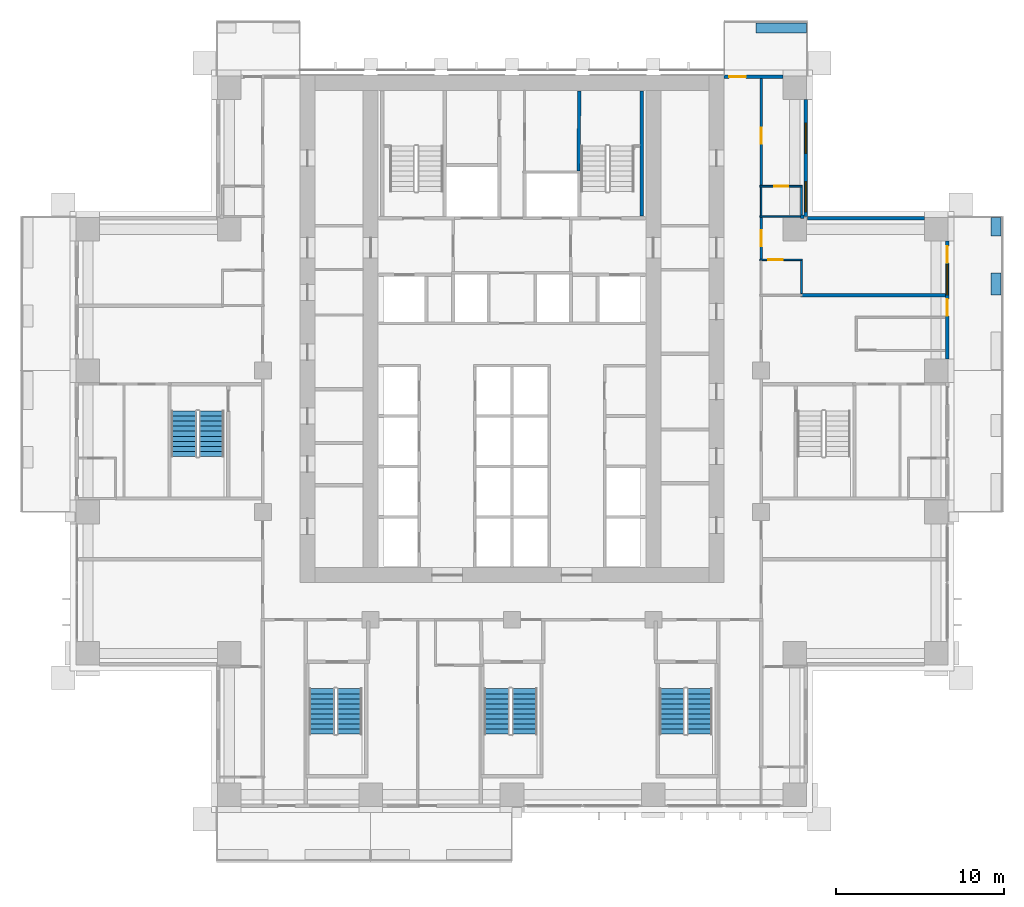
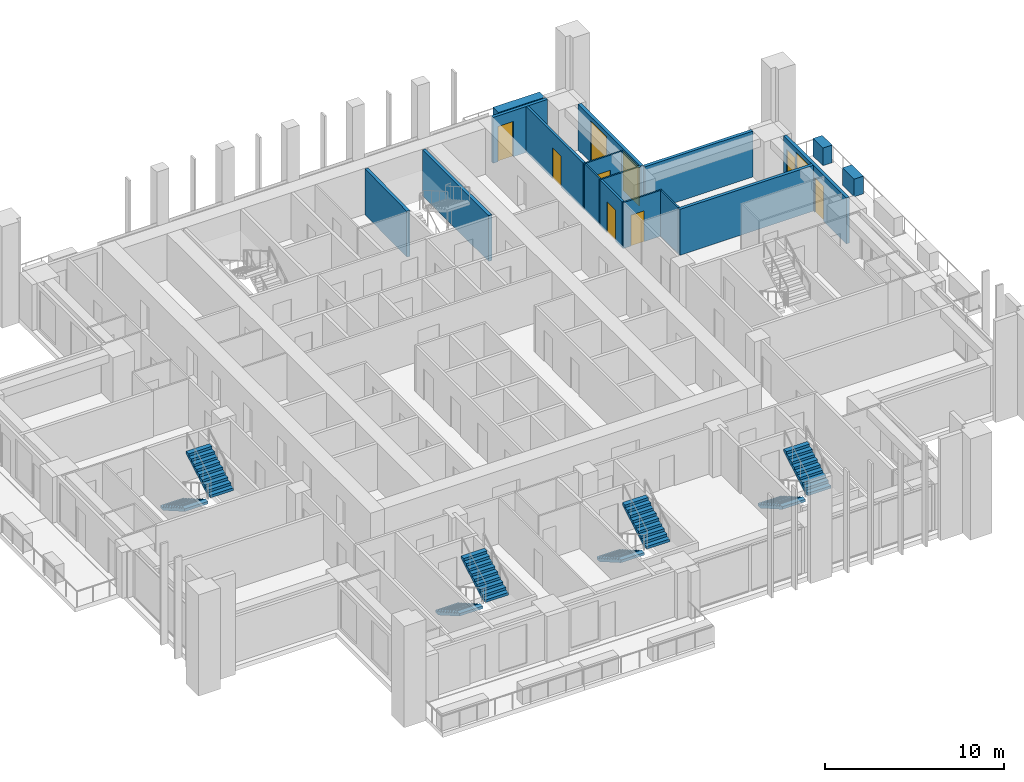
# One storey, part 12 of 18: 19 walls, 8 stair flights, 7 doors, 3 windows, 10 openings, 4 elements without a shape of their own.
"""IFC4 building model written with IfcOpenShell, lengths in metres."""

from ifc_helpers import new_model, si_unit, direction, frame, frame_2d, origin, place, context, subcontext, project, spatial, polyline, rectangle, outline, extrude, material, layer, layer_set, type_object, element, fill, aggregate, save


model = new_model("IFC4")

# Units and contexts
model_context = context("Model", 3, precision=1e-05, world=origin(), true_north=direction((0.0, 1.0)))
body_context = subcontext(model_context, "Body", "Model", "MODEL_VIEW")
ifc_project = project(units=[si_unit("LENGTHUNIT", "METRE"), si_unit("AREAUNIT", "SQUARE_METRE"), si_unit("VOLUMEUNIT", "CUBIC_METRE"), si_unit("PLANEANGLEUNIT", "RADIAN"), si_unit("MASSUNIT", "GRAM", prefix="KILO")], contexts=[model_context])

# Site, building, storey
site_placement = place(None, origin())
site = spatial("IfcSite", under=ifc_project, at=site_placement, CompositionType="ELEMENT")
building_placement = place(site_placement, origin())
building = spatial("IfcBuilding", under=site, at=building_placement, Name="Vermilion Ogive Tower", CompositionType="ELEMENT")
storey_placement = place(building_placement, frame((0.0, 0.0, 55.199951171875)))
storey = spatial("IfcBuildingStorey", under=building, at=storey_placement, Name="L12", CompositionType="ELEMENT", Elevation=55.199951171875)

# Wall, opening, door
ifc_material_1 = material(Name="Gypsum board partition on steel studs", Category="steel")
ifc_layer_1 = layer(ifc_material_1, 0.10009765625)
ifc_layer_set_1 = layer_set([ifc_layer_1], Name="Partition 100 bath")
wall_type_1 = type_object("IfcWallType", Name="Partition 100 bath", PredefinedType="PARTITIONING", material=ifc_layer_set_1)
wall_1_placement = place(storey_placement, frame((14.72509765625, 10.780029296875, 0.0), z_axis=(0.0, 0.0, 1.0), x_axis=(1.0, 0.0, 0.0)))
wall_1 = element("IfcWall", 1, at=wall_1_placement, inside=storey, type_object=wall_type_1, Name="L12-W-W034", PredefinedType="PARTITIONING", context=body_context, shape_type="SweptSolid", body=[
    extrude(rectangle(XDim=2.52490234375, YDim=0.10009765625, at=frame_2d((1.262451171875, 0.0))), origin(), (0.0, 0.0, 1.0), 3.130126953125),
])
opening_1_placement = place(wall_1_placement, frame((0.5, 0.0, 0.0)))
opening_1 = element("IfcOpeningElement", 2, at=opening_1_placement, cuts=wall_1, Name="Opening D1G4025", PredefinedType="OPENING", context=body_context, shape_type="SweptSolid", body=[
    extrude(rectangle(XDim=0.85009765625, YDim=2.10009765625, at=frame_2d((0.425048828125, 1.050048828125))), frame((0.0, 0.06005859375, 0.0), z_axis=(0.0, -1.0, 0.0), x_axis=(1.0, 0.0, 0.0)), (0.0, 0.0, 1.0), 0.1201171875),
])
ifc_material_2 = material(Name="Timber door leaf", Category="wood")
door_type_1 = type_object("IfcDoorType", Name="Bath door 850 x 2100 FD30", OperationType="SINGLE_SWING_LEFT", PredefinedType="DOOR", material=ifc_material_2)
door_1_placement = place(opening_1_placement, origin())
door_1 = element("IfcDoor", 3, at=door_1_placement, inside=storey, type_object=door_type_1, Name="L12-D-D025", OperationType="SINGLE_SWING_RIGHT", OverallHeight=2.10009765625, OverallWidth=0.85009765625, PredefinedType="DOOR", context=body_context, shape_type="SweptSolid", body=[
    extrude(rectangle(XDim=0.85009765625, YDim=2.10009765625, at=frame_2d((0.425048828125, 1.050048828125))), frame((0.0, 0.02490234375, 0.0), z_axis=(0.0, -1.0, 0.0), x_axis=(1.0, 0.0, 0.0)), (0.0, 0.0, 1.0), 0.050048828125),
])
fill(opening_1, door_1)

# Wall
wall_2_placement = place(storey_placement, frame((14.72509765625, 13.35009765625, 0.0), z_axis=(0.0, 0.0, 1.0), x_axis=(1.0, 0.0, 0.0)))
element("IfcWall", 4, at=wall_2_placement, inside=storey, type_object=wall_type_1, Name="L12-W-W037", PredefinedType="PARTITIONING", context=body_context, shape_type="SweptSolid", body=[
    extrude(rectangle(XDim=2.52490234375, YDim=0.10009765625, at=frame_2d((1.262451171875, 0.0))), origin(), (0.0, 0.0, 1.0), 3.130126953125),
])

# Wall, opening, door
wall_3_placement = place(storey_placement, frame((14.72509765625, 15.14990234375, 0.0), z_axis=(0.0, 0.0, 1.0), x_axis=(1.0, 0.0, 0.0)))
wall_3 = element("IfcWall", 5, at=wall_3_placement, inside=storey, type_object=wall_type_1, Name="L12-W-W040", PredefinedType="PARTITIONING", context=body_context, shape_type="SweptSolid", body=[
    extrude(rectangle(XDim=2.52490234375, YDim=0.10009765625, at=frame_2d((1.262451171875, 0.0))), origin(), (0.0, 0.0, 1.0), 3.130126953125),
])
opening_2_placement = place(wall_3_placement, frame((0.849853515625, 0.0, 0.0)))
opening_2 = element("IfcOpeningElement", 6, at=opening_2_placement, cuts=wall_3, Name="Opening D1G4027", PredefinedType="OPENING", context=body_context, shape_type="SweptSolid", body=[
    extrude(rectangle(XDim=0.85009765625, YDim=2.10009765625, at=frame_2d((0.425048828125, 1.050048828125))), frame((0.0, 0.06005859375, 0.0), z_axis=(0.0, -1.0, 0.0), x_axis=(1.0, 0.0, 0.0)), (0.0, 0.0, 1.0), 0.1201171875),
])
door_2_placement = place(opening_2_placement, origin())
door_2 = element("IfcDoor", 7, at=door_2_placement, inside=storey, type_object=door_type_1, Name="L12-D-D027", OperationType="SINGLE_SWING_RIGHT", OverallHeight=2.10009765625, OverallWidth=0.85009765625, PredefinedType="DOOR", context=body_context, shape_type="SweptSolid", body=[
    extrude(rectangle(XDim=0.85009765625, YDim=2.10009765625, at=frame_2d((0.425048828125, 1.050048828125))), frame((0.0, 0.02490234375, 0.0), z_axis=(0.0, -1.0, 0.0), x_axis=(1.0, 0.0, 0.0)), (0.0, 0.0, 1.0), 0.050048828125),
])
fill(opening_2, door_2)

# Walls
wall_4_placement = place(storey_placement, frame((14.800048828125, 13.39990234375, 0.0), z_axis=(0.0, 0.0, 1.0), x_axis=(0.0, 1.0, 0.0)))
element("IfcWall", 8, at=wall_4_placement, inside=storey, type_object=wall_type_1, Name="L12-W-W074", PredefinedType="PARTITIONING", context=body_context, shape_type="SweptSolid", body=[
    extrude(rectangle(XDim=1.7001953125, YDim=0.10009765625, at=frame_2d((0.85009765625, 0.0))), origin(), (0.0, 0.0, 1.0), 3.130126953125),
])
wall_5_placement = place(storey_placement, frame((17.199951171875, 8.780029296875, 0.0), z_axis=(0.0, 0.0, 1.0), x_axis=(0.0, 1.0, 0.0)))
element("IfcWall", 9, at=wall_5_placement, inside=storey, type_object=wall_type_1, Name="L12-W-W077", PredefinedType="PARTITIONING", context=body_context, shape_type="SweptSolid", body=[
    extrude(rectangle(XDim=1.949951171875, YDim=0.10009765625, at=frame_2d((0.97509765625, 0.0))), origin(), (0.0, 0.0, 1.0), 3.130126953125),
])
wall_6_placement = place(storey_placement, frame((17.199951171875, 13.449951171875, 0.0), z_axis=(0.0, 0.0, 1.0), x_axis=(0.0, 1.0, 0.0)))
element("IfcWall", 10, at=wall_6_placement, inside=storey, type_object=wall_type_1, Name="L12-W-W078", PredefinedType="PARTITIONING", context=body_context, shape_type="SweptSolid", body=[
    extrude(rectangle(XDim=1.650146484375, YDim=0.10009765625, at=frame_2d((0.8251953125, 0.0))), origin(), (0.0, 0.0, 1.0), 3.130126953125),
])

# Wall, opening, door
ifc_material_3 = material(Name="Gypsum board partition on steel studs", Category="steel")
ifc_layer_2 = layer(ifc_material_3, 0.14990234375)
ifc_layer_set_2 = layer_set([ifc_layer_2], Name="Partition 150 corridor")
wall_type_2 = type_object("IfcWallType", Name="Partition 150 corridor", PredefinedType="PARTITIONING", material=ifc_layer_set_2)
wall_7_placement = place(storey_placement, frame((14.800048828125, 10.830078125, 0.0), z_axis=(0.0, 0.0, 1.0), x_axis=(0.0, 1.0, 0.0)))
wall_7 = element("IfcWall", 11, at=wall_7_placement, inside=storey, type_object=wall_type_2, Name="L12-W-W073", PredefinedType="PARTITIONING", context=body_context, shape_type="SweptSolid", body=[
    extrude(rectangle(XDim=2.469970703125, YDim=0.14990234375, at=frame_2d((1.23486328125, 0.0))), origin(), (0.0, 0.0, 1.0), 3.130126953125),
])
opening_3_placement = place(wall_7_placement, frame((0.760009765625, 0.0, 0.0)))
opening_3 = element("IfcOpeningElement", 12, at=opening_3_placement, cuts=wall_7, Name="Opening D1G4024", PredefinedType="OPENING", context=body_context, shape_type="SweptSolid", body=[
    extrude(rectangle(XDim=0.949951171875, YDim=2.10009765625, at=frame_2d((0.47509765625, 1.050048828125))), frame((0.0, 0.0849609375, 0.0), z_axis=(0.0, -1.0, 0.0), x_axis=(1.0, 0.0, 0.0)), (0.0, 0.0, 1.0), 0.169921875),
])
ifc_material_4 = material(Name="Timber door leaf", Category="wood")
door_type_2 = type_object("IfcDoorType", Name="Unit door 950 x 2100 FD30S", OperationType="SINGLE_SWING_LEFT", PredefinedType="DOOR", material=ifc_material_4)
door_3_placement = place(opening_3_placement, origin())
door_3 = element("IfcDoor", 13, at=door_3_placement, inside=storey, type_object=door_type_2, Name="L12-D-D024", OperationType="SINGLE_SWING_RIGHT", OverallHeight=2.10009765625, OverallWidth=0.949951171875, PredefinedType="DOOR", context=body_context, shape_type="SweptSolid", body=[
    extrude(rectangle(XDim=0.949951171875, YDim=2.10009765625, at=frame_2d((0.47509765625, 1.050048828125))), frame((0.0, 0.02490234375, 0.0), z_axis=(0.0, -1.0, 0.0), x_axis=(1.0, 0.0, 0.0)), (0.0, 0.0, 1.0), 0.050048828125),
])
fill(opening_3, door_3)

wall_8_placement = place(storey_placement, frame((14.800048828125, 15.199951171875, 0.0), z_axis=(0.0, 0.0, 1.0), x_axis=(0.0, 1.0, 0.0)))
wall_8 = element("IfcWall", 14, at=wall_8_placement, inside=storey, type_object=wall_type_2, Name="L12-W-W075", PredefinedType="PARTITIONING", context=body_context, shape_type="SweptSolid", body=[
    extrude(rectangle(XDim=6.35009765625, YDim=0.14990234375, at=frame_2d((3.175048828125, 0.0))), origin(), (0.0, 0.0, 1.0), 3.130126953125),
])
opening_4_placement = place(wall_8_placement, frame((2.47509765625, 0.0, 0.0)))
opening_4 = element("IfcOpeningElement", 15, at=opening_4_placement, cuts=wall_8, Name="Opening D1G4026", PredefinedType="OPENING", context=body_context, shape_type="SweptSolid", body=[
    extrude(rectangle(XDim=0.949951171875, YDim=2.10009765625, at=frame_2d((0.47509765625, 1.050048828125))), frame((0.0, 0.0849609375, 0.0), z_axis=(0.0, -1.0, 0.0), x_axis=(1.0, 0.0, 0.0)), (0.0, 0.0, 1.0), 0.169921875),
])
door_4_placement = place(opening_4_placement, origin())
door_4 = element("IfcDoor", 16, at=door_4_placement, inside=storey, type_object=door_type_2, Name="L12-D-D026", OperationType="SINGLE_SWING_LEFT", OverallHeight=2.10009765625, OverallWidth=0.949951171875, PredefinedType="DOOR", context=body_context, shape_type="SweptSolid", body=[
    extrude(rectangle(XDim=0.949951171875, YDim=2.10009765625, at=frame_2d((0.47509765625, 1.050048828125))), frame((0.0, 0.02490234375, 0.0), z_axis=(0.0, -1.0, 0.0), x_axis=(1.0, 0.0, 0.0)), (0.0, 0.0, 1.0), 0.050048828125),
])
fill(opening_4, door_4)

# Walls
ifc_material_5 = material(Name="Gypsum board partition on steel studs", Category="steel")
ifc_layer_3 = layer(ifc_material_5, 0.199951171875)
ifc_layer_set_3 = layer_set([ifc_layer_3], Name="Partition 200 party")
wall_type_3 = type_object("IfcWallType", Name="Partition 200 party", PredefinedType="PARTITIONING", material=ifc_layer_set_3)
wall_9_placement = place(storey_placement, frame((17.14990234375, 8.679931640625, 0.0), z_axis=(0.0, 0.0, 1.0), x_axis=(1.0, 0.0, 0.0)))
element("IfcWall", 17, at=wall_9_placement, inside=storey, type_object=wall_type_3, Name="L12-W-W032", PredefinedType="PARTITIONING", context=body_context, shape_type="SweptSolid", body=[
    extrude(rectangle(XDim=8.60009765625, YDim=0.199951171875, at=frame_2d((4.300048828125, 0.0))), origin(), (0.0, 0.0, 1.0), 3.130126953125),
])
wall_10_placement = place(storey_placement, frame((17.14990234375, 13.35009765625, 0.0), z_axis=(0.0, 0.0, 1.0), x_axis=(1.0, 0.0, 0.0)))
element("IfcWall", 18, at=wall_10_placement, inside=storey, type_object=wall_type_3, Name="L12-W-W038", PredefinedType="PARTITIONING", context=body_context, shape_type="SweptSolid", body=[
    extrude(rectangle(XDim=0.2001953125, YDim=0.199951171875, at=frame_2d((0.10009765625, 0.0))), origin(), (0.0, 0.0, 1.0), 3.130126953125),
])
ifc_material_6 = material(Name="Concrete B60", Category="concrete")
ifc_layer_4 = layer(ifc_material_6, 0.199951171875)
ifc_layer_set_4 = layer_set([ifc_layer_4], Name="Stair shaft wall 200 Concrete B60")
wall_type_4 = type_object("IfcWallType", Name="Stair shaft wall 200 Concrete B60", PredefinedType="SOLIDWALL", material=ifc_layer_set_4)
wall_11_placement = place(storey_placement, frame((3.949951171875, 16.050048828125, 0.0), z_axis=(0.0, 0.0, 1.0), x_axis=(0.010538176883, 0.999944471872, 0.0)))
element("IfcWall", 19, at=wall_11_placement, inside=storey, type_object=wall_type_4, Name="L12-CK-W-W038", PredefinedType="SOLIDWALL", context=body_context, shape_type="SweptSolid", body=[
    extrude(rectangle(XDim=4.749267578125, YDim=0.199951171875, at=frame_2d((2.37451171875, 0.0))), origin(), (0.0, 0.0, 1.0), 3.130126953125),
])
wall_12_placement = place(storey_placement, frame((7.699951171875, 13.39990234375, 0.0), z_axis=(0.0, 0.0, 1.0), x_axis=(0.0, 1.0, 0.0)))
element("IfcWall", 20, at=wall_12_placement, inside=storey, type_object=wall_type_4, Name="L12-SW-R026-E1", PredefinedType="SOLIDWALL", context=body_context, shape_type="SweptSolid", body=[
    extrude(rectangle(XDim=7.400146484375, YDim=0.199951171875, at=frame_2d((3.7001953125, 0.0))), origin(), (0.0, 0.0, 1.0), 3.130126953125),
])
ifc_material_7 = material(Name="Concrete B40", Category="concrete")
ifc_layer_5 = layer(ifc_material_7, 0.60009765625)
ifc_layer_set_5 = layer_set([ifc_layer_5], Name="Structural planter")
wall_type_5 = type_object("IfcWallType", Name="Structural planter", PredefinedType="USERDEFINED", material=ifc_layer_set_5)
wall_13_placement = place(storey_placement, frame((28.75, 8.699951171875, -0.0400390625), z_axis=(0.0, 0.0, 1.0), x_axis=(0.0, 1.0, 0.0)))
element("IfcWall", 21, at=wall_13_placement, inside=storey, type_object=wall_type_5, Name="Planter E03A2", ObjectType="PLANTER", PredefinedType="USERDEFINED", context=body_context, shape_type="SweptSolid", body=[
    extrude(rectangle(XDim=1.300048828125, YDim=0.60009765625, at=frame_2d((0.64990234375, 0.0))), origin(), (0.0, 0.0, 1.0), 1.2001953125),
])
wall_14_placement = place(storey_placement, frame((28.75, 12.199951171875, -0.0400390625), z_axis=(0.0, 0.0, 1.0), x_axis=(0.0, 1.0, 0.0)))
element("IfcWall", 22, at=wall_14_placement, inside=storey, type_object=wall_type_5, Name="Planter E03A3", ObjectType="PLANTER", PredefinedType="USERDEFINED", context=body_context, shape_type="SweptSolid", body=[
    extrude(rectangle(XDim=1.090087890625, YDim=0.60009765625, at=frame_2d((0.544921875, 0.0))), origin(), (0.0, 0.0, 1.0), 1.2001953125),
])
wall_15_placement = place(storey_placement, frame((17.489990234375, 24.550048828125, -0.0400390625), z_axis=(0.0, 0.0, 1.0), x_axis=(-1.0, 0.0, 0.0)))
element("IfcWall", 23, at=wall_15_placement, inside=storey, type_object=wall_type_5, Name="Planter N101A1", ObjectType="PLANTER", PredefinedType="USERDEFINED", context=body_context, shape_type="SweptSolid", body=[
    extrude(rectangle(XDim=2.989990234375, YDim=0.60009765625, at=frame_2d((1.4951171875, 0.0))), origin(), (0.0, 0.0, 1.0), 1.2001953125),
])

# Wall, openings, doors, window
ifc_material_8 = material(Name="Aluminium window wall framing", Category="aluminium")
ifc_layer_6 = layer(ifc_material_8, 0.199951171875)
ifc_layer_set_6 = layer_set([ifc_layer_6], Name="Window wall")
wall_type_6 = type_object("IfcWallType", Name="Window wall", PredefinedType="STANDARD", material=ifc_layer_set_6)
wall_16_placement = place(storey_placement, frame((25.85009765625, 4.89990234375, 0.0), z_axis=(0.0, 0.0, 1.0), x_axis=(0.0, 1.0, 0.0)))
wall_16 = element("IfcWall", 24, at=wall_16_placement, inside=storey, type_object=wall_type_6, Name="Window wall E3", PredefinedType="STANDARD", context=body_context, shape_type="SweptSolid", body=[
    extrude(rectangle(XDim=7.0, YDim=0.199951171875, at=frame_2d((3.5, 0.0))), origin(), (0.0, 0.0, 1.0), 3.130126953125),
])
opening_5_placement = place(wall_16_placement, frame((2.550048828125, 0.0, 0.0)))
opening_5 = element("IfcOpeningElement", 25, at=opening_5_placement, cuts=wall_16, Name="Opening D1-E01", PredefinedType="OPENING", context=body_context, shape_type="SweptSolid", body=[
    extrude(rectangle(XDim=1.0, YDim=2.39990234375, at=frame_2d((0.5, 1.199951171875))), frame((0.0, 0.10986328125, 0.0), z_axis=(0.0, -1.0, 0.0), x_axis=(1.0, 0.0, 0.0)), (0.0, 0.0, 1.0), 0.219970703125),
])
opening_6_placement = place(wall_16_placement, frame((3.800048828125, 0.0, 0.199951171875)))
opening_6 = element("IfcOpeningElement", 26, at=opening_6_placement, cuts=wall_16, Name="Opening W1-E02", PredefinedType="OPENING", context=body_context, shape_type="SweptSolid", body=[
    extrude(rectangle(XDim=1.800048828125, YDim=2.64990234375, at=frame_2d((0.89990234375, 1.324951171875))), frame((0.0, 0.10986328125, 0.0), z_axis=(0.0, -1.0, 0.0), x_axis=(1.0, 0.0, 0.0)), (0.0, 0.0, 1.0), 0.219970703125),
])
opening_7_placement = place(wall_16_placement, frame((5.699951171875, 0.0, 0.0)))
opening_7 = element("IfcOpeningElement", 27, at=opening_7_placement, cuts=wall_16, Name="Opening D1-E02", PredefinedType="OPENING", context=body_context, shape_type="SweptSolid", body=[
    extrude(rectangle(XDim=1.0, YDim=2.39990234375, at=frame_2d((0.5, 1.199951171875))), frame((0.0, 0.10986328125, 0.0), z_axis=(0.0, -1.0, 0.0), x_axis=(1.0, 0.0, 0.0)), (0.0, 0.0, 1.0), 0.219970703125),
])
ifc_material_9 = material(Name="Aluminium framed glazed door", Category="aluminium")
door_type_3 = type_object("IfcDoorType", Name="Balcony door D1", OperationType="SINGLE_SWING_LEFT", PredefinedType="DOOR", material=ifc_material_9)
door_5_placement = place(opening_5_placement, origin())
door_5 = element("IfcDoor", 28, at=door_5_placement, inside=storey, type_object=door_type_3, Name="Balcony door E01", OperationType="SINGLE_SWING_LEFT", OverallHeight=2.39990234375, OverallWidth=1.0, PredefinedType="DOOR", context=body_context, shape_type="SweptSolid", body=[
    extrude(rectangle(XDim=1.0, YDim=2.39990234375, at=frame_2d((0.5, 1.199951171875))), frame((0.0, 0.02490234375, 0.0), z_axis=(0.0, -1.0, 0.0), x_axis=(1.0, 0.0, 0.0)), (0.0, 0.0, 1.0), 0.050048828125),
])
fill(opening_5, door_5)
door_6_placement = place(opening_7_placement, origin())
door_6 = element("IfcDoor", 29, at=door_6_placement, inside=storey, type_object=door_type_3, Name="Balcony door E02", OperationType="SINGLE_SWING_LEFT", OverallHeight=2.39990234375, OverallWidth=1.0, PredefinedType="DOOR", context=body_context, shape_type="SweptSolid", body=[
    extrude(rectangle(XDim=1.0, YDim=2.39990234375, at=frame_2d((0.5, 1.199951171875))), frame((0.0, 0.02490234375, 0.0), z_axis=(0.0, -1.0, 0.0), x_axis=(1.0, 0.0, 0.0)), (0.0, 0.0, 1.0), 0.050048828125),
])
fill(opening_7, door_6)
ifc_material_10 = material(Name="Aluminium framed double glazing", Category="aluminium")
window_type = type_object("IfcWindowType", Name="Guest window W1", PartitioningType="SINGLE_PANEL", PredefinedType="WINDOW", material=ifc_material_10)
window_1_placement = place(opening_6_placement, origin())
window_1 = element("IfcWindow", 30, at=window_1_placement, inside=storey, type_object=window_type, Name="Window E02", OverallHeight=2.64990234375, OverallWidth=1.800048828125, PartitioningType="SINGLE_PANEL", PredefinedType="WINDOW", context=body_context, shape_type="SweptSolid", body=[
    extrude(rectangle(XDim=1.800048828125, YDim=2.64990234375, at=frame_2d((0.89990234375, 1.324951171875))), frame((0.0, 0.030029296875, 0.0), z_axis=(0.0, -1.0, 0.0), x_axis=(1.0, 0.0, 0.0)), (0.0, 0.0, 1.0), 0.06005859375),
])
fill(opening_6, window_1)

# Wall
wall_17_placement = place(storey_placement, frame((24.5, 13.25, 0.0), z_axis=(0.0, 0.0, 1.0), x_axis=(-1.0, 0.0, 0.0)))
element("IfcWall", 31, at=wall_17_placement, inside=storey, type_object=wall_type_6, Name="Window wall X31", PredefinedType="STANDARD", context=body_context, shape_type="SweptSolid", body=[
    extrude(rectangle(XDim=6.949951171875, YDim=0.199951171875, at=frame_2d((3.47509765625, 0.0))), origin(), (0.0, 0.0, 1.0), 3.130126953125),
])

# Wall, openings, windows
wall_18_placement = place(storey_placement, frame((17.449951171875, 13.35009765625, 0.0), z_axis=(0.0, 0.0, 1.0), x_axis=(0.0, 1.0, 0.0)))
wall_18 = element("IfcWall", 32, at=wall_18_placement, inside=storey, type_object=wall_type_6, Name="Window wall X41", PredefinedType="STANDARD", context=body_context, shape_type="SweptSolid", body=[
    extrude(rectangle(XDim=6.949951171875, YDim=0.199951171875, at=frame_2d((3.47509765625, 0.0))), origin(), (0.0, 0.0, 1.0), 3.130126953125),
])
opening_8_placement = place(wall_18_placement, frame((0.27490234375, 0.0, 0.199951171875)))
opening_8 = element("IfcOpeningElement", 33, at=opening_8_placement, cuts=wall_18, Name="Opening W1-X403", PredefinedType="OPENING", context=body_context, shape_type="SweptSolid", body=[
    extrude(rectangle(XDim=1.800048828125, YDim=2.64990234375, at=frame_2d((0.89990234375, 1.324951171875))), frame((0.0, 0.10986328125, 0.0), z_axis=(0.0, -1.0, 0.0), x_axis=(1.0, 0.0, 0.0)), (0.0, 0.0, 1.0), 0.219970703125),
])
opening_9_placement = place(wall_18_placement, frame((3.75, 0.0, 0.199951171875)))
opening_9 = element("IfcOpeningElement", 34, at=opening_9_placement, cuts=wall_18, Name="Opening W1-X404", PredefinedType="OPENING", context=body_context, shape_type="SweptSolid", body=[
    extrude(rectangle(XDim=1.800048828125, YDim=2.64990234375, at=frame_2d((0.89990234375, 1.324951171875))), frame((0.0, 0.10986328125, 0.0), z_axis=(0.0, -1.0, 0.0), x_axis=(1.0, 0.0, 0.0)), (0.0, 0.0, 1.0), 0.219970703125),
])
window_2_placement = place(opening_8_placement, origin())
window_2 = element("IfcWindow", 35, at=window_2_placement, inside=storey, type_object=window_type, Name="Window X403", OverallHeight=2.64990234375, OverallWidth=1.800048828125, PartitioningType="SINGLE_PANEL", PredefinedType="WINDOW", context=body_context, shape_type="SweptSolid", body=[
    extrude(rectangle(XDim=1.800048828125, YDim=2.64990234375, at=frame_2d((0.89990234375, 1.324951171875))), frame((0.0, 0.030029296875, 0.0), z_axis=(0.0, -1.0, 0.0), x_axis=(1.0, 0.0, 0.0)), (0.0, 0.0, 1.0), 0.06005859375),
])
fill(opening_8, window_2)
window_3_placement = place(opening_9_placement, origin())
window_3 = element("IfcWindow", 36, at=window_3_placement, inside=storey, type_object=window_type, Name="Window X404", OverallHeight=2.64990234375, OverallWidth=1.800048828125, PartitioningType="SINGLE_PANEL", PredefinedType="WINDOW", context=body_context, shape_type="SweptSolid", body=[
    extrude(rectangle(XDim=1.800048828125, YDim=2.64990234375, at=frame_2d((0.89990234375, 1.324951171875))), frame((0.0, 0.030029296875, 0.0), z_axis=(0.0, -1.0, 0.0), x_axis=(1.0, 0.0, 0.0)), (0.0, 0.0, 1.0), 0.06005859375),
])
fill(opening_9, window_3)

# Wall, opening, door
wall_19_placement = place(storey_placement, frame((16.10009765625, 21.64990234375, 0.0), z_axis=(0.0, 0.0, 1.0), x_axis=(-1.0, 0.0, 0.0)))
wall_19 = element("IfcWall", 37, at=wall_19_placement, inside=storey, type_object=wall_type_6, Name="Window wall N11", PredefinedType="STANDARD", context=body_context, shape_type="SweptSolid", body=[
    extrude(rectangle(XDim=3.5, YDim=0.199951171875, at=frame_2d((1.75, 0.0))), origin(), (0.0, 0.0, 1.0), 3.130126953125),
])
opening_10_placement = place(wall_19_placement, frame((2.199951171875, 0.0, 0.0)))
opening_10 = element("IfcOpeningElement", 38, at=opening_10_placement, cuts=wall_19, Name="Opening D1-N103", PredefinedType="OPENING", context=body_context, shape_type="SweptSolid", body=[
    extrude(rectangle(XDim=1.0, YDim=2.39990234375, at=frame_2d((0.5, 1.199951171875))), frame((0.0, 0.10986328125, 0.0), z_axis=(0.0, -1.0, 0.0), x_axis=(1.0, 0.0, 0.0)), (0.0, 0.0, 1.0), 0.219970703125),
])
door_7_placement = place(opening_10_placement, origin())
door_7 = element("IfcDoor", 39, at=door_7_placement, inside=storey, type_object=door_type_3, Name="Balcony door N103", OperationType="SINGLE_SWING_LEFT", OverallHeight=2.39990234375, OverallWidth=1.0, PredefinedType="DOOR", context=body_context, shape_type="SweptSolid", body=[
    extrude(rectangle(XDim=1.0, YDim=2.39990234375, at=frame_2d((0.5, 1.199951171875))), frame((0.0, 0.02490234375, 0.0), z_axis=(0.0, -1.0, 0.0), x_axis=(1.0, 0.0, 0.0)), (0.0, 0.0, 1.0), 0.050048828125),
])
fill(opening_10, door_7)

# Stair, stair flights
ifc_material_11 = material(Name="Concrete B40", Category="concrete")
stair_type = type_object("IfcStairType", Name="Exit stair 1500", PredefinedType="HALF_TURN_STAIR", material=ifc_material_11)
stair_1_placement = place(storey_placement, origin())
stair_1 = element("IfcStair", 40, at=stair_1_placement, inside=storey, type_object=stair_type, Name="L12 Exit Stair ST3", PredefinedType="HALF_TURN_STAIR")
ifc_material_12 = material(Name="Concrete B40", Category="concrete")
stair_flight_type = type_object("IfcStairFlightType", Name="Stair flight 1500", PredefinedType="STRAIGHT", material=ifc_material_12)
stair_flight_1_placement = place(storey_placement, frame((-11.300048828125, -14.699951171875, 0.0), z_axis=(0.0, 0.0, 1.0), x_axis=(0.0, -1.0, 0.0)))
stair_flight_1 = element("IfcStairFlight", 41, at=stair_flight_1_placement, type_object=stair_flight_type, Name="ST3 flight 1", NumberOfRisers=10, NumberOfTreads=9, PredefinedType="STRAIGHT", RiserHeight=0.1725, TreadLength=0.3, context=body_context, shape_type="SweptSolid", body=[
    extrude(outline(polyline([(0.0, 0.0), (0.0, 0.172607421875), (0.300048828125, 0.172607421875), (0.300048828125, 0.344970703125), (0.60009765625, 0.344970703125), (0.60009765625, 0.517578125), (0.89990234375, 0.517578125), (0.89990234375, 0.68994140625), (1.199951171875, 0.68994140625), (1.199951171875, 0.862548828125), (1.5, 0.862548828125), (1.5, 1.034912109375), (1.800048828125, 1.034912109375), (1.800048828125, 1.20751953125), (2.10009765625, 1.20751953125), (2.10009765625, 1.3798828125), (2.39990234375, 1.3798828125), (2.39990234375, 1.552490234375), (2.699951171875, 1.552490234375), (2.699951171875, 1.72509765625), (2.699951171875, 1.379638671875), (0.30078125, 0.0), (0.0, 0.0)])), frame((0.0, 0.75, 0.0), z_axis=(0.0, -1.0, 0.0), x_axis=(1.0, 0.0, 0.0)), (0.0, 0.0, 1.0), 1.5),
])
stair_flight_2_placement = place(storey_placement, frame((-9.64990234375, -17.39990234375, 1.72509765625), z_axis=(0.0, 0.0, 1.0), x_axis=(0.0, 1.0, 0.0)))
stair_flight_2 = element("IfcStairFlight", 42, at=stair_flight_2_placement, type_object=stair_flight_type, Name="ST3 flight 2", NumberOfRisers=10, NumberOfTreads=9, PredefinedType="STRAIGHT", RiserHeight=0.1725, TreadLength=0.3, context=body_context, shape_type="SweptSolid", body=[
    extrude(outline(polyline([(0.0, 0.0), (0.0, 0.172607421875), (0.300048828125, 0.172607421875), (0.300048828125, 0.344970703125), (0.60009765625, 0.344970703125), (0.60009765625, 0.517578125), (0.89990234375, 0.517578125), (0.89990234375, 0.68994140625), (1.199951171875, 0.68994140625), (1.199951171875, 0.862548828125), (1.5, 0.862548828125), (1.5, 1.034912109375), (1.800048828125, 1.034912109375), (1.800048828125, 1.20751953125), (2.10009765625, 1.20751953125), (2.10009765625, 1.3798828125), (2.39990234375, 1.3798828125), (2.39990234375, 1.552490234375), (2.699951171875, 1.552490234375), (2.699951171875, 1.72509765625), (2.699951171875, 1.379638671875), (0.30078125, 0.0), (0.0, 0.0)])), frame((0.0, 0.75, 0.0), z_axis=(0.0, -1.0, 0.0), x_axis=(1.0, 0.0, 0.0)), (0.0, 0.0, 1.0), 1.5),
])
aggregate(stair_1, [stair_flight_1, stair_flight_2])

stair_2_placement = place(storey_placement, origin())
stair_2 = element("IfcStair", 43, at=stair_2_placement, inside=storey, type_object=stair_type, Name="L12 Exit Stair ST4", PredefinedType="HALF_TURN_STAIR")
stair_flight_3_placement = place(storey_placement, frame((-0.89990234375, -14.699951171875, 0.0), z_axis=(0.0, 0.0, 1.0), x_axis=(0.0, -1.0, 0.0)))
stair_flight_3 = element("IfcStairFlight", 44, at=stair_flight_3_placement, type_object=stair_flight_type, Name="ST4 flight 1", NumberOfRisers=10, NumberOfTreads=9, PredefinedType="STRAIGHT", RiserHeight=0.1725, TreadLength=0.3, context=body_context, shape_type="SweptSolid", body=[
    extrude(outline(polyline([(0.0, 0.0), (0.0, 0.172607421875), (0.300048828125, 0.172607421875), (0.300048828125, 0.344970703125), (0.60009765625, 0.344970703125), (0.60009765625, 0.517578125), (0.89990234375, 0.517578125), (0.89990234375, 0.68994140625), (1.199951171875, 0.68994140625), (1.199951171875, 0.862548828125), (1.5, 0.862548828125), (1.5, 1.034912109375), (1.800048828125, 1.034912109375), (1.800048828125, 1.20751953125), (2.10009765625, 1.20751953125), (2.10009765625, 1.3798828125), (2.39990234375, 1.3798828125), (2.39990234375, 1.552490234375), (2.699951171875, 1.552490234375), (2.699951171875, 1.72509765625), (2.699951171875, 1.379638671875), (0.30078125, 0.0), (0.0, 0.0)])), frame((0.0, 0.75, 0.0), z_axis=(0.0, -1.0, 0.0), x_axis=(1.0, 0.0, 0.0)), (0.0, 0.0, 1.0), 1.5),
])
stair_flight_4_placement = place(storey_placement, frame((0.75, -17.39990234375, 1.72509765625), z_axis=(0.0, 0.0, 1.0), x_axis=(0.0, 1.0, 0.0)))
stair_flight_4 = element("IfcStairFlight", 45, at=stair_flight_4_placement, type_object=stair_flight_type, Name="ST4 flight 2", NumberOfRisers=10, NumberOfTreads=9, PredefinedType="STRAIGHT", RiserHeight=0.1725, TreadLength=0.3, context=body_context, shape_type="SweptSolid", body=[
    extrude(outline(polyline([(0.0, 0.0), (0.0, 0.172607421875), (0.300048828125, 0.172607421875), (0.300048828125, 0.344970703125), (0.60009765625, 0.344970703125), (0.60009765625, 0.517578125), (0.89990234375, 0.517578125), (0.89990234375, 0.68994140625), (1.199951171875, 0.68994140625), (1.199951171875, 0.862548828125), (1.5, 0.862548828125), (1.5, 1.034912109375), (1.800048828125, 1.034912109375), (1.800048828125, 1.20751953125), (2.10009765625, 1.20751953125), (2.10009765625, 1.3798828125), (2.39990234375, 1.3798828125), (2.39990234375, 1.552490234375), (2.699951171875, 1.552490234375), (2.699951171875, 1.72509765625), (2.699951171875, 1.379638671875), (0.30078125, 0.0), (0.0, 0.0)])), frame((0.0, 0.75, 0.0), z_axis=(0.0, -1.0, 0.0), x_axis=(1.0, 0.0, 0.0)), (0.0, 0.0, 1.0), 1.5),
])
aggregate(stair_2, [stair_flight_3, stair_flight_4])

stair_3_placement = place(storey_placement, origin())
stair_3 = element("IfcStair", 46, at=stair_3_placement, inside=storey, type_object=stair_type, Name="L12 Exit Stair ST5", PredefinedType="HALF_TURN_STAIR")
stair_flight_5_placement = place(storey_placement, frame((9.5, -14.699951171875, 0.0), z_axis=(0.0, 0.0, 1.0), x_axis=(0.0, -1.0, 0.0)))
stair_flight_5 = element("IfcStairFlight", 47, at=stair_flight_5_placement, type_object=stair_flight_type, Name="ST5 flight 1", NumberOfRisers=10, NumberOfTreads=9, PredefinedType="STRAIGHT", RiserHeight=0.1725, TreadLength=0.3, context=body_context, shape_type="SweptSolid", body=[
    extrude(outline(polyline([(0.0, 0.0), (0.0, 0.172607421875), (0.300048828125, 0.172607421875), (0.300048828125, 0.344970703125), (0.60009765625, 0.344970703125), (0.60009765625, 0.517578125), (0.89990234375, 0.517578125), (0.89990234375, 0.68994140625), (1.199951171875, 0.68994140625), (1.199951171875, 0.862548828125), (1.5, 0.862548828125), (1.5, 1.034912109375), (1.800048828125, 1.034912109375), (1.800048828125, 1.20751953125), (2.10009765625, 1.20751953125), (2.10009765625, 1.3798828125), (2.39990234375, 1.3798828125), (2.39990234375, 1.552490234375), (2.699951171875, 1.552490234375), (2.699951171875, 1.72509765625), (2.699951171875, 1.379638671875), (0.30078125, 0.0), (0.0, 0.0)])), frame((0.0, 0.75, 0.0), z_axis=(0.0, -1.0, 0.0), x_axis=(1.0, 0.0, 0.0)), (0.0, 0.0, 1.0), 1.5),
])
stair_flight_6_placement = place(storey_placement, frame((11.14990234375, -17.39990234375, 1.72509765625), z_axis=(0.0, 0.0, 1.0), x_axis=(0.0, 1.0, 0.0)))
stair_flight_6 = element("IfcStairFlight", 48, at=stair_flight_6_placement, type_object=stair_flight_type, Name="ST5 flight 2", NumberOfRisers=10, NumberOfTreads=9, PredefinedType="STRAIGHT", RiserHeight=0.1725, TreadLength=0.3, context=body_context, shape_type="SweptSolid", body=[
    extrude(outline(polyline([(0.0, 0.0), (0.0, 0.172607421875), (0.300048828125, 0.172607421875), (0.300048828125, 0.344970703125), (0.60009765625, 0.344970703125), (0.60009765625, 0.517578125), (0.89990234375, 0.517578125), (0.89990234375, 0.68994140625), (1.199951171875, 0.68994140625), (1.199951171875, 0.862548828125), (1.5, 0.862548828125), (1.5, 1.034912109375), (1.800048828125, 1.034912109375), (1.800048828125, 1.20751953125), (2.10009765625, 1.20751953125), (2.10009765625, 1.3798828125), (2.39990234375, 1.3798828125), (2.39990234375, 1.552490234375), (2.699951171875, 1.552490234375), (2.699951171875, 1.72509765625), (2.699951171875, 1.379638671875), (0.30078125, 0.0), (0.0, 0.0)])), frame((0.0, 0.75, 0.0), z_axis=(0.0, -1.0, 0.0), x_axis=(1.0, 0.0, 0.0)), (0.0, 0.0, 1.0), 1.5),
])
aggregate(stair_3, [stair_flight_5, stair_flight_6])

stair_4_placement = place(storey_placement, origin())
stair_4 = element("IfcStair", 49, at=stair_4_placement, inside=storey, type_object=stair_type, Name="L12 Exit Stair ST9", PredefinedType="HALF_TURN_STAIR")
stair_flight_7_placement = place(storey_placement, frame((-19.5, 1.800048828125, 0.0), z_axis=(0.0, 0.0, 1.0), x_axis=(0.0, -1.0, 0.0)))
stair_flight_7 = element("IfcStairFlight", 50, at=stair_flight_7_placement, type_object=stair_flight_type, Name="ST9 flight 1", NumberOfRisers=10, NumberOfTreads=9, PredefinedType="STRAIGHT", RiserHeight=0.1725, TreadLength=0.3, context=body_context, shape_type="SweptSolid", body=[
    extrude(outline(polyline([(0.0, 0.0), (0.0, 0.172607421875), (0.300048828125, 0.172607421875), (0.300048828125, 0.344970703125), (0.60009765625, 0.344970703125), (0.60009765625, 0.517578125), (0.89990234375, 0.517578125), (0.89990234375, 0.68994140625), (1.199951171875, 0.68994140625), (1.199951171875, 0.862548828125), (1.5, 0.862548828125), (1.5, 1.034912109375), (1.800048828125, 1.034912109375), (1.800048828125, 1.20751953125), (2.10009765625, 1.20751953125), (2.10009765625, 1.3798828125), (2.39990234375, 1.3798828125), (2.39990234375, 1.552490234375), (2.699951171875, 1.552490234375), (2.699951171875, 1.72509765625), (2.699951171875, 1.379638671875), (0.30078125, 0.0), (0.0, 0.0)])), frame((0.0, 0.75, 0.0), z_axis=(0.0, -1.0, 0.0), x_axis=(1.0, 0.0, 0.0)), (0.0, 0.0, 1.0), 1.5),
])
stair_flight_8_placement = place(storey_placement, frame((-17.85009765625, -0.89990234375, 1.72509765625), z_axis=(0.0, 0.0, 1.0), x_axis=(0.0, 1.0, 0.0)))
stair_flight_8 = element("IfcStairFlight", 51, at=stair_flight_8_placement, type_object=stair_flight_type, Name="ST9 flight 2", NumberOfRisers=10, NumberOfTreads=9, PredefinedType="STRAIGHT", RiserHeight=0.1725, TreadLength=0.3, context=body_context, shape_type="SweptSolid", body=[
    extrude(outline(polyline([(0.0, 0.0), (0.0, 0.172607421875), (0.300048828125, 0.172607421875), (0.300048828125, 0.344970703125), (0.60009765625, 0.344970703125), (0.60009765625, 0.517578125), (0.89990234375, 0.517578125), (0.89990234375, 0.68994140625), (1.199951171875, 0.68994140625), (1.199951171875, 0.862548828125), (1.5, 0.862548828125), (1.5, 1.034912109375), (1.800048828125, 1.034912109375), (1.800048828125, 1.20751953125), (2.10009765625, 1.20751953125), (2.10009765625, 1.3798828125), (2.39990234375, 1.3798828125), (2.39990234375, 1.552490234375), (2.699951171875, 1.552490234375), (2.699951171875, 1.72509765625), (2.699951171875, 1.379638671875), (0.30078125, 0.0), (0.0, 0.0)])), frame((0.0, 0.75, 0.0), z_axis=(0.0, -1.0, 0.0), x_axis=(1.0, 0.0, 0.0)), (0.0, 0.0, 1.0), 1.5),
])
aggregate(stair_4, [stair_flight_7, stair_flight_8])

save(model, "model.ifc")
